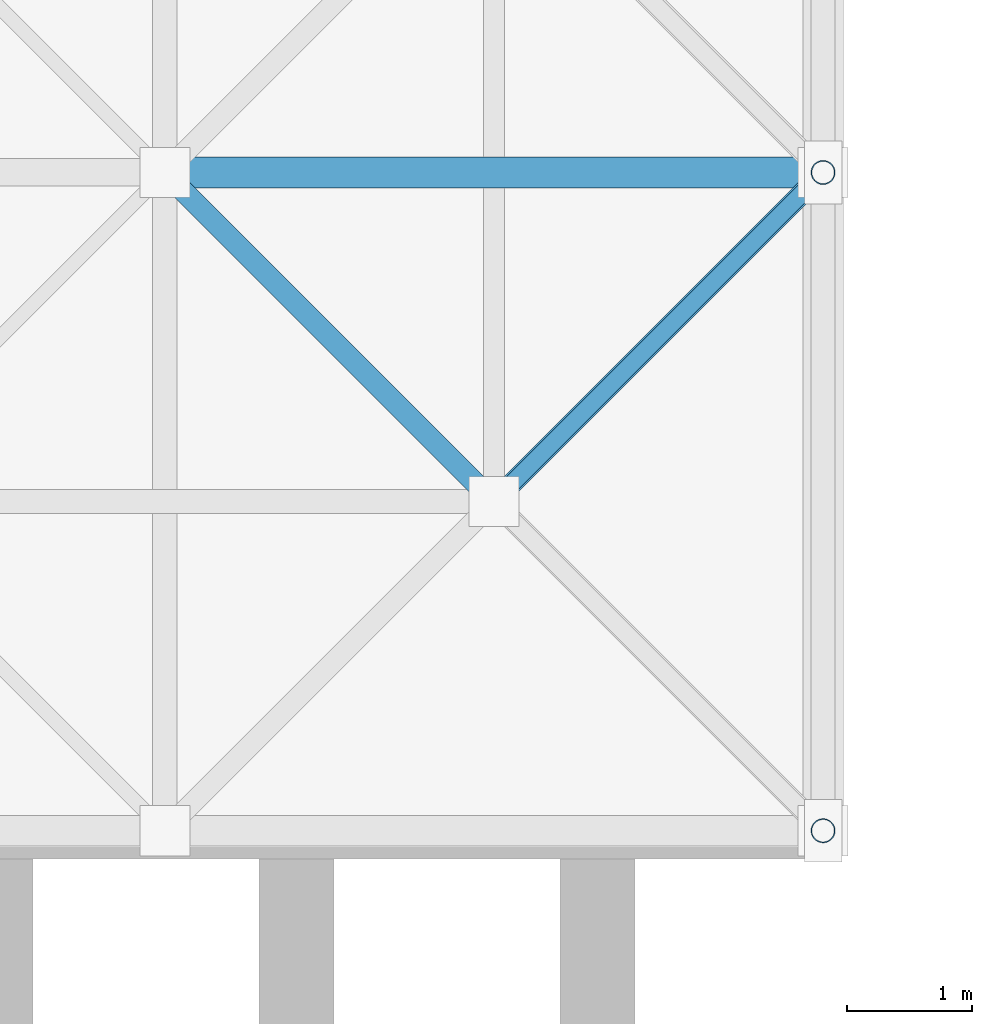
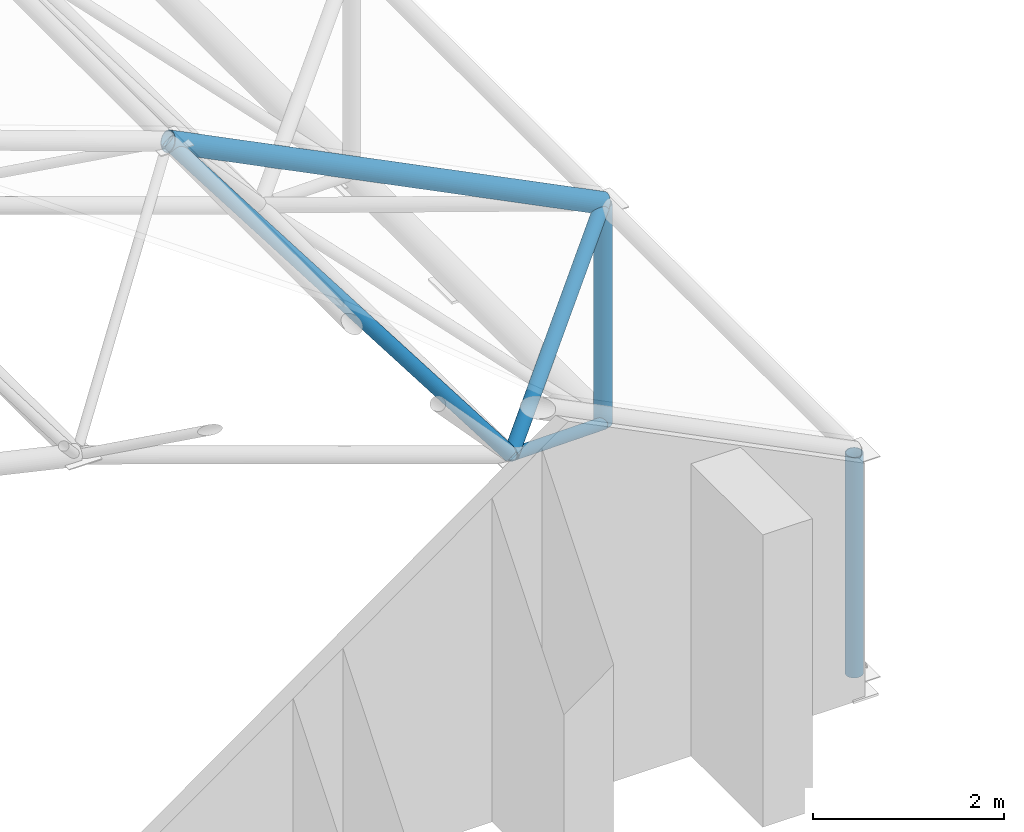
# One storey, part 16 of 100: 6 members.
"""IFC4 building model written with IfcOpenShell, lengths in metres."""

from ifc_helpers import new_model, si_unit, direction, frame, origin, origin_2d, place, context, subcontext, project, spatial, hollow_circle, extrude, material, material_profile, profile_set, type_object, element, save


model = new_model("IFC4")

# Units and contexts
model_context = context("Model", 3, precision=1e-05, world=origin(), true_north=direction((0.0, 1.0)))
body_context = subcontext(model_context, "Body", "Model", "MODEL_VIEW")
ifc_project = project(units=[si_unit("LENGTHUNIT", "METRE"), si_unit("AREAUNIT", "SQUARE_METRE"), si_unit("VOLUMEUNIT", "CUBIC_METRE"), si_unit("PLANEANGLEUNIT", "RADIAN"), si_unit("MASSUNIT", "GRAM", prefix="KILO")], contexts=[model_context])

# Site, building, storey
site_placement = place(None, origin())
site = spatial("IfcSite", under=ifc_project, at=site_placement, CompositionType="ELEMENT")
building_placement = place(site_placement, origin())
building = spatial("IfcBuilding", under=site, at=building_placement, Name="Kiln Court Media Centre", CompositionType="ELEMENT")
storey_placement = place(building_placement, frame((0.0, 0.0, 15.0)))
storey = spatial("IfcBuildingStorey", under=building, at=storey_placement, Name="L03", CompositionType="ELEMENT", Elevation=15.0)

# Members
ifc_material_1 = material(Name="Steel ASTM A500 Gr C", Category="steel")
ifc_material_profile_1 = material_profile(ifc_material_1, hollow_circle(Radius=0.06982421875, WallThickness=0.0048828125, at=origin_2d()), Name="CHS 139.7x5.0")
ifc_profile_set_1 = profile_set([ifc_material_profile_1], Name="Steel ASTM A500 Gr C")
member_type_1 = type_object("IfcMemberType", Name="Steel ASTM A500 Gr C CHS 139.7x5.0 space frame brace", PredefinedType="BRACE", material=ifc_profile_set_1)
member_1_placement = place(storey_placement, frame((100.800048828125, 30.449951171875, 0.18994140625), z_axis=(-0.614895163376, -0.614895163376, 0.493769051394), x_axis=(0.707106781187, -0.707106781187, 0.0)))
element("IfcMember", 1, at=member_1_placement, inside=storey, type_object=member_type_1, Name="V1 roof bearing tie last 2 space frame brace", PredefinedType="BRACE", context=body_context, shape_type="SweptSolid", body=[
    extrude(hollow_circle(Radius=0.06982421875, WallThickness=0.0048828125, at=origin_2d()), origin(), (0.0, 0.0, 1.0), 4.26904296875),
])
ifc_material_2 = material(Name="Steel ASTM A500 Gr C", Category="steel")
ifc_material_profile_2 = material_profile(ifc_material_2, hollow_circle(Radius=0.084228515625, WallThickness=0.00634765625, at=origin_2d()), Name="CHS 168.3x6.3")
ifc_profile_set_2 = profile_set([ifc_material_profile_2], Name="Steel ASTM A500 Gr C")
member_type_2 = type_object("IfcMemberType", Name="Steel ASTM A500 Gr C CHS 168.3x6.3 space frame brace", PredefinedType="BRACE", material=ifc_profile_set_2)
member_2_placement = place(storey_placement, frame((98.175048828125, 27.824951171875, 2.2978515625), z_axis=(-0.526569761857, 0.526569761857, 0.667419337295), x_axis=(-0.707106781187, -0.707106781187, 0.0)))
element("IfcMember", 2, at=member_2_placement, inside=storey, type_object=member_type_2, Name="V1 roof diagonal 8-1 space frame brace", PredefinedType="BRACE", context=body_context, shape_type="SweptSolid", body=[
    extrude(hollow_circle(Radius=0.084228515625, WallThickness=0.00634765625, at=origin_2d()), origin(), (0.0, 0.0, 1.0), 4.985107421875),
])
member_3_placement = place(storey_placement, frame((98.175048828125, 27.824951171875, 2.2978515625), z_axis=(0.694788256549, 0.694788256549, 0.185845519516), x_axis=(-0.707106781187, 0.707106781187, 0.0)))
element("IfcMember", 3, at=member_3_placement, inside=storey, type_object=member_type_2, Name="V1 roof diagonal 8-1 space frame brace", PredefinedType="BRACE", context=body_context, shape_type="SweptSolid", body=[
    extrude(hollow_circle(Radius=0.084228515625, WallThickness=0.00634765625, at=origin_2d()), origin(), (0.0, 0.0, 1.0), 3.778076171875),
])
ifc_material_3 = material(Name="Steel ASTM A500 Gr C", Category="steel")
ifc_material_profile_3 = material_profile(ifc_material_3, hollow_circle(Radius=0.096923828125, WallThickness=0.008056640625, at=origin_2d()), Name="CHS 193.7x8.0")
ifc_profile_set_3 = profile_set([ifc_material_profile_3], Name="Steel ASTM A500 Gr C")
member_type_3 = type_object("IfcMemberType", Name="Steel ASTM A500 Gr C CHS 193.7x8.0 space frame strut", PredefinedType="STRUT", material=ifc_profile_set_3)
for number, where, z_axis, x_axis, name in (
    (4, (100.800048828125, 25.199951171875, 0.18994140625), (0.0, 0.0, 1.0), (1.0, 0.0, 0.0), "V1 roof bearing post last 1 space frame strut"),
    (5, (100.800048828125, 30.449951171875, 0.18994140625), (0.0, 0.0, 1.0), (1.0, 0.0, 0.0), "V1 roof bearing post last 2 space frame strut"),
):
    element("IfcMember", number, at=place(storey_placement, frame(where, z_axis=z_axis, x_axis=x_axis)), inside=storey, type_object=member_type_3, Name=name, PredefinedType="STRUT", context=body_context, shape_type="SweptSolid", body=[
        extrude(hollow_circle(Radius=0.096923828125, WallThickness=0.008056640625, at=origin_2d()), origin(), (0.0, 0.0, 1.0), 2.81005859375),
    ])
ifc_material_4 = material(Name="Steel ASTM A500 Gr C", Category="steel")
ifc_material_profile_4 = material_profile(ifc_material_4, hollow_circle(Radius=0.122314453125, WallThickness=0.010009765625, at=origin_2d()), Name="CHS 244.5x10.0")
ifc_profile_set_4 = profile_set([ifc_material_profile_4], Name="Steel ASTM A500 Gr C")
member_type_4 = type_object("IfcMemberType", Name="Steel ASTM A500 Gr C CHS 244.5x10.0 space frame chord", PredefinedType="CHORD", material=ifc_profile_set_4)
member_4_placement = place(storey_placement, frame((95.550048828125, 30.449951171875, 5.625), z_axis=(0.894427191, 0.0, -0.4472135955), x_axis=(0.0, 1.0, 0.0)))
element("IfcMember", 6, at=member_4_placement, inside=storey, type_object=member_type_4, Name="V1 roof top chord across line 2 space frame chord", PredefinedType="CHORD", context=body_context, shape_type="SweptSolid", body=[
    extrude(hollow_circle(Radius=0.122314453125, WallThickness=0.010009765625, at=origin_2d()), origin(), (0.0, 0.0, 1.0), 5.86962890625),
])

save(model, "model.ifc")
